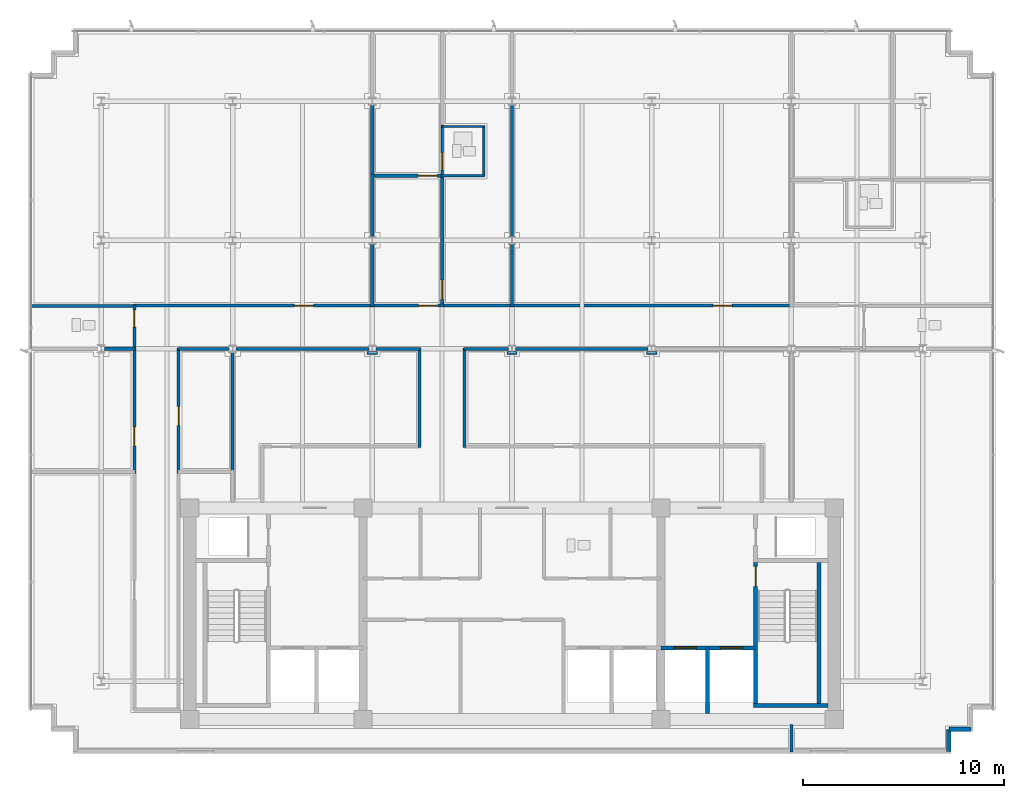
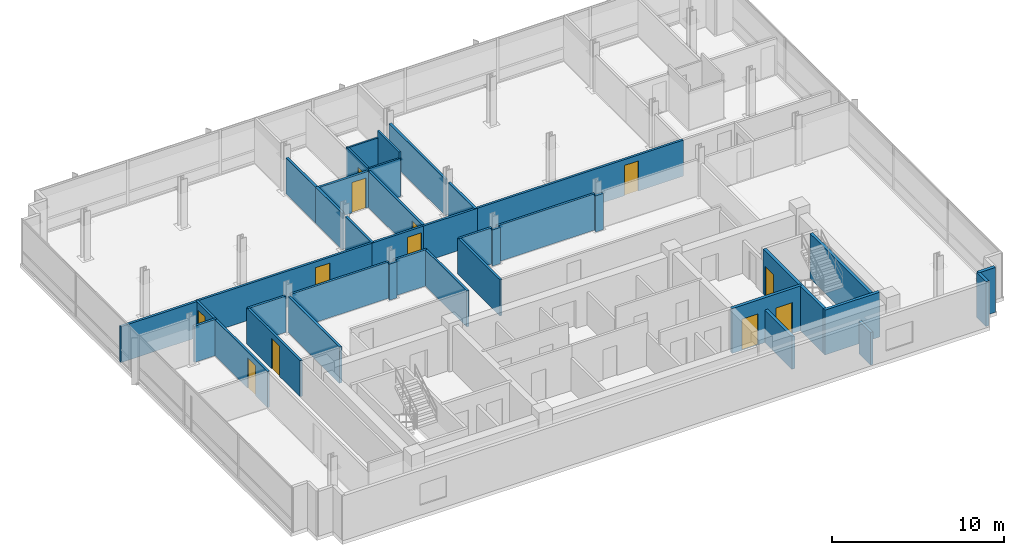
# One storey, part 11 of 18: 39 walls, 12 doors, 12 openings.
"""IFC4 building model written with IfcOpenShell, lengths in metres."""

import ifcopenshell
import ifcopenshell.guid

model = None  # the IFC model being written
_history = None  # IfcOwnerHistory: only IFC2X3 demands one
_inside = {}  # id of a spatial element -> (the spatial element, [elements in it])
_under = {}  # id of a project, library or spatial element -> (it, [spatial elements below it])
_declared = {}  # id of a project -> (the project, [libraries it declares])
_typed = {}  # id of a type object -> (the type object, [elements of that type])
_made_of = {}  # id of a material, layer set ... -> (it, [elements and type objects made of it])


def new_model(schema):
    """Start an empty IFC model of exactly this schema.

    Asked for "IFC4X3", IfcOpenShell would pick the latest addendum, in which some entities
    have other attributes; the version numbers below select the first issue.
    IFC2X3 requires an IfcOwnerHistory on every rooted entity: one is made here for all.
    """
    global model, _history
    if schema == "IFC4X3":
        model = ifcopenshell.file(schema_version=(4, 3, 0, 0))
    else:
        model = ifcopenshell.file(schema=schema)
    _inside.clear()
    _under.clear()
    _declared.clear()
    _typed.clear()
    _made_of.clear()
    _history = None
    if model.schema == "IFC2X3":
        org = make("IfcOrganization", Name="unknown")
        user = make(
            "IfcPersonAndOrganization",
            ThePerson=make("IfcPerson", FamilyName="unknown"),
            TheOrganization=org,
        )
        app = make(
            "IfcApplication",
            ApplicationDeveloper=org,
            Version="unknown",
            ApplicationFullName="unknown",
            ApplicationIdentifier="unknown",
        )
        _history = make(
            "IfcOwnerHistory",
            OwningUser=user,
            OwningApplication=app,
            ChangeAction="ADDED",
            CreationDate=0,
        )
    return model


def make(cls, **values):
    """One entity of the class cls with the attributes given. An attribute that is None is left unset."""
    return model.create_entity(
        cls, **{name: value for name, value in values.items() if value is not None}
    )


def rooted(cls, **values):
    """An entity with a GlobalId (a new one), such as an element, a storey or a relation."""
    return make(cls, GlobalId=ifcopenshell.guid.new(), OwnerHistory=_history, **values)


def si_unit(unit_type, name, prefix=None):
    """IfcSIUnit, for example si_unit("LENGTHUNIT", "METRE", prefix="MILLI")."""
    return make("IfcSIUnit", UnitType=unit_type, Prefix=prefix, Name=name)


def assignment(units):
    """IfcUnitAssignment: the units of a project."""
    return None if units is None else make("IfcUnitAssignment", Units=units)


def point(xyz):
    """IfcCartesianPoint."""
    return None if xyz is None else make("IfcCartesianPoint", Coordinates=xyz)


def direction(xyz):
    """IfcDirection."""
    return None if xyz is None else make("IfcDirection", DirectionRatios=xyz)


def frame(location, z_axis=None, x_axis=None):
    """IfcAxis2Placement3D, a coordinate frame: its origin and axes. An axis left out is left unset."""
    return make(
        "IfcAxis2Placement3D",
        Location=point(location),
        Axis=direction(z_axis),
        RefDirection=direction(x_axis),
    )


def frame_2d(location, x_axis=None):
    """IfcAxis2Placement2D, a coordinate frame in the plane: its origin and x axis."""
    return make(
        "IfcAxis2Placement2D", Location=point(location), RefDirection=direction(x_axis)
    )


def origin():
    """The frame at (0, 0, 0) with its axes left unset."""
    return frame((0.0, 0.0, 0.0))


def place(relative_to, where):
    """IfcLocalPlacement: puts the frame where relative to a parent placement (None: the world)."""
    return make(
        "IfcLocalPlacement", PlacementRelTo=relative_to, RelativePlacement=where
    )


def context(
    kind, dimensions, precision=None, world=None, true_north=None, identifier=None
):
    """IfcGeometricRepresentationContext, for example the 3D "Model" context."""
    return make(
        "IfcGeometricRepresentationContext",
        ContextIdentifier=identifier,
        ContextType=kind,
        CoordinateSpaceDimension=dimensions,
        Precision=precision,
        WorldCoordinateSystem=world,
        TrueNorth=true_north,
    )


def subcontext(parent, identifier, kind, view, scale=None):
    """IfcGeometricRepresentationSubContext, for example "Body" below "Model"."""
    return make(
        "IfcGeometricRepresentationSubContext",
        ContextIdentifier=identifier,
        ContextType=kind,
        ParentContext=parent,
        TargetScale=scale,
        TargetView=view,
    )


def project(units=None, contexts=None):
    """IfcProject with its units and contexts."""
    return rooted(
        "IfcProject",
        Name="project",
        RepresentationContexts=contexts,
        UnitsInContext=assignment(units),
    )


def spatial(cls, under=None, at=None, **own):
    """A site, building, storey or space (cls), placed at a placement, below another one or the project."""
    s = rooted(cls, ObjectPlacement=at, **own)
    if under is not None:
        _under.setdefault(under.id(), (under, []))[1].append(s)
    return s


def profile(cls, at=None, kind="AREA", **sizes):
    """A parametric profile (cls). Its sizes go by their IFC names, for example OverallWidth=200.0."""
    return make(cls, ProfileType=kind, Position=at, **sizes)


def rectangle(**sizes):
    """IfcRectangleProfileDef."""
    return profile("IfcRectangleProfileDef", **sizes)


def extrude(swept, where, along, depth):
    """IfcExtrudedAreaSolid: the profile swept, set in the frame where, extruded along a direction by depth."""
    return make(
        "IfcExtrudedAreaSolid",
        SweptArea=swept,
        Position=where,
        ExtrudedDirection=direction(along),
        Depth=depth,
    )


def shape(context_of_items, identifier, shape_type, items):
    """IfcShapeRepresentation: the items that make up one representation, for example the "Body"."""
    return make(
        "IfcShapeRepresentation",
        ContextOfItems=context_of_items,
        RepresentationIdentifier=identifier,
        RepresentationType=shape_type,
        Items=items,
    )


def material(Name=None, Category=None):
    """IfcMaterial."""
    return make("IfcMaterial", Name=Name, Category=Category)


def layer(
    of_material, thickness, ventilated=None, Name=None, Category=None, Priority=None
):
    """IfcMaterialLayer: one layer of a wall or slab, of a material (None: an air gap)."""
    return make(
        "IfcMaterialLayer",
        Material=of_material,
        LayerThickness=thickness,
        IsVentilated=ventilated,
        Name=Name,
        Category=Category,
        Priority=Priority,
    )


def layer_set(layers, Name=None):
    """IfcMaterialLayerSet."""
    return make("IfcMaterialLayerSet", MaterialLayers=layers, LayerSetName=Name)


def made_of(thing, what):
    """Note that an element or type object is made of a material, layer set ...; save() writes the relation."""
    if what is not None:
        _made_of.setdefault(what.id(), (what, []))[1].append(thing)
    return thing


def type_object(cls, material=None, **own):
    """A type object (cls), such as IfcWallType, which elements share."""
    return made_of(rooted(cls, **own), material)


def element(
    cls,
    number,
    at=None,
    inside=None,
    cuts=None,
    type_object=None,
    material=None,
    context=None,
    identifier="Body",
    shape_type=None,
    held_by="IfcProductDefinitionShape",
    body=None,
    shapes=None,
    **own,
):
    """One element of the class cls, such as IfcWall. Its Tag is "e" and its number.

    at: its placement. inside: the storey or other place that contains it. cuts: it is an
    opening in that element (IfcRelVoidsElement). A single representation is given by context,
    identifier, shape_type and body (its items); several are given by shapes. held_by: the class
    of the entity that holds the representations. save() writes the other relations.
    """
    e = rooted(cls, Tag="e%d" % number, ObjectPlacement=at, **own)
    if body is not None:
        shapes = [shape(context, identifier, shape_type, body)]
    if shapes is not None:
        e.Representation = make(held_by, Representations=shapes)
    if inside is not None:
        _inside.setdefault(inside.id(), (inside, []))[1].append(e)
    if cuts is not None:
        rooted(
            "IfcRelVoidsElement", RelatingBuildingElement=cuts, RelatedOpeningElement=e
        )
    if type_object is not None:
        _typed.setdefault(type_object.id(), (type_object, []))[1].append(e)
    return made_of(e, material)


def fill(opening, filler):
    """IfcRelFillsElement: the door or window that sits in an opening."""
    return rooted(
        "IfcRelFillsElement",
        RelatingOpeningElement=opening,
        RelatedBuildingElement=filler,
    )


def aggregate(whole, parts):
    """IfcRelAggregates: a whole, such as a stair, and the parts it consists of."""
    return rooted("IfcRelAggregates", RelatingObject=whole, RelatedObjects=parts)


def save(model, path):
    """Write the relations noted so far, then the file.

    IfcRelAggregates (storeys below a building ...), IfcRelContainedInSpatialStructure (elements
    in a storey), IfcRelDefinesByType, IfcRelAssociatesMaterial and IfcRelDeclares: one each for
    every whole, place, type object, material and project.
    """
    for whole, parts in _under.values():
        aggregate(whole, parts)
    for where, things in _inside.values():
        rooted(
            "IfcRelContainedInSpatialStructure",
            RelatedElements=things,
            RelatingStructure=where,
        )
    for kind, things in _typed.values():
        rooted("IfcRelDefinesByType", RelatedObjects=things, RelatingType=kind)
    for what, things in _made_of.values():
        rooted("IfcRelAssociatesMaterial", RelatedObjects=things, RelatingMaterial=what)
    for by, libraries in _declared.values():
        rooted("IfcRelDeclares", RelatingContext=by, RelatedDefinitions=libraries)
    model.write(path)


model = new_model("IFC4")

# Units and contexts
model_context = context("Model", 3, precision=1e-05, world=origin(), true_north=direction((0.0, 1.0)))
body_context = subcontext(model_context, "Body", "Model", "MODEL_VIEW")
ifc_project = project(units=[si_unit("LENGTHUNIT", "METRE"), si_unit("AREAUNIT", "SQUARE_METRE"), si_unit("VOLUMEUNIT", "CUBIC_METRE"), si_unit("PLANEANGLEUNIT", "RADIAN"), si_unit("MASSUNIT", "GRAM", prefix="KILO")], contexts=[model_context])

# Site, building, storey
site_placement = place(None, origin())
site = spatial("IfcSite", under=ifc_project, at=site_placement, CompositionType="ELEMENT")
building_placement = place(site_placement, origin())
building = spatial("IfcBuilding", under=site, at=building_placement, Name="Solmavex Isthmus Hotel", CompositionType="ELEMENT")
storey_placement = place(building_placement, frame((0.0, 0.0, 283.35009765625)))
storey = spatial("IfcBuildingStorey", under=building, at=storey_placement, Name="L77", CompositionType="ELEMENT", Elevation=283.35009765625)

# Walls
ifc_material_1 = material(Name="Precast Concrete C40/50", Category="concrete")
ifc_layer_1 = layer(ifc_material_1, 0.25)
ifc_layer_set_1 = layer_set([ifc_layer_1], Name="Precast Concrete C40/50")
wall_type_1 = type_object("IfcWallType", Name="EW-TWR-250", PredefinedType="STANDARD", material=ifc_layer_set_1)
for number, where, z_axis, x_axis, name in (
    (1, (22.7900390625, -13.489990234375, 0.0), (0.0, 0.0, 1.0), (-1.0, 0.0, 0.0), "Serrated Corner Facade Panel L77-18"),
    (2, (21.68994140625, -13.489990234375, 0.0), (0.0, 0.0, 1.0), (0.0, -1.0, 0.0), "Serrated Corner Facade Panel L77-19"),
):
    element("IfcWall", number, at=place(storey_placement, frame(where, z_axis=z_axis, x_axis=x_axis)), inside=storey, type_object=wall_type_1, Name=name, PredefinedType="STANDARD", context=body_context, shape_type="SweptSolid", body=[
        extrude(rectangle(XDim=1.10009765625, YDim=0.219970703125, at=frame_2d((0.550048828125, 0.0))), origin(), (0.0, 0.0, 1.0), 3.18994140625),
    ])
ifc_material_2 = material(Name="Gypsum plasterboard lining", Category="gypsum")
ifc_layer_2 = layer(ifc_material_2, 0.159912109375)
ifc_layer_set_2 = layer_set([ifc_layer_2], Name="Gypsum plasterboard lining")
wall_type_2 = type_object("IfcWallType", Name="IW-COMP-160", PredefinedType="PARTITIONING", material=ifc_layer_set_2)
wall_1_placement = place(storey_placement, frame((-6.93603515625, 10.613037109375, 0.0), z_axis=(0.0, 0.0, 1.0), x_axis=(0.0, -1.0, 0.0)))
element("IfcWall", 3, at=wall_1_placement, inside=storey, type_object=wall_type_2, Name="Interior Partition Wall W-L77-P029", PredefinedType="PARTITIONING", context=body_context, shape_type="SweptSolid", body=[
    extrude(rectangle(XDim=3.10302734375, YDim=0.159912109375, at=frame_2d((1.551513671875, 0.0))), origin(), (0.0, 0.0, 1.0), 2.572265625),
])
wall_2_placement = place(storey_placement, frame((-6.93603515625, 14.070068359375, 0.0), z_axis=(0.0, 0.0, 1.0), x_axis=(0.0, -1.0, 0.0)))
element("IfcWall", 4, at=wall_2_placement, inside=storey, type_object=wall_type_2, Name="Interior Partition Wall W-L77-P030", PredefinedType="PARTITIONING", context=body_context, shape_type="SweptSolid", body=[
    extrude(rectangle(XDim=3.107177734375, YDim=0.159912109375, at=frame_2d((1.5537109375, 0.0))), origin(), (0.0, 0.0, 1.0), 2.572265625),
])
wall_3_placement = place(storey_placement, frame((-6.93603515625, 17.52490234375, 0.0), z_axis=(0.0, 0.0, 1.0), x_axis=(0.0, -1.0, 0.0)))
element("IfcWall", 5, at=wall_3_placement, inside=storey, type_object=wall_type_2, Name="Interior Partition Wall W-L77-P031", PredefinedType="PARTITIONING", context=body_context, shape_type="SweptSolid", body=[
    extrude(rectangle(XDim=3.618896484375, YDim=0.159912109375, at=frame_2d((1.8095703125, 0.0))), origin(), (0.0, 0.0, 1.0), 2.572265625),
])
wall_4_placement = place(storey_placement, frame((-18.7099609375, 7.530029296875, 0.0), z_axis=(0.0, 0.0, 1.0), x_axis=(-1.0, 0.0, 0.0)))
element("IfcWall", 6, at=wall_4_placement, inside=storey, type_object=wall_type_2, Name="Interior Partition Wall W-L77-P033", PredefinedType="PARTITIONING", context=body_context, shape_type="SweptSolid", body=[
    extrude(rectangle(XDim=5.2099609375, YDim=0.159912109375, at=frame_2d((2.60498046875, 0.0))), origin(), (0.0, 0.0, 1.0), 2.557373046875),
])

# Wall, opening, door
wall_5_placement = place(storey_placement, frame((-6.97607421875, 13.988037109375, 0.0), z_axis=(0.0, 0.0, 1.0), x_axis=(1.0, 0.0, 0.0)))
wall_5 = element("IfcWall", 7, at=wall_5_placement, inside=storey, type_object=wall_type_2, Name="Interior Partition Wall W-L77-P034", PredefinedType="PARTITIONING", context=body_context, shape_type="SweptSolid", body=[
    extrude(rectangle(XDim=3.548095703125, YDim=0.159912109375, at=frame_2d((1.77392578125, 0.0))), origin(), (0.0, 0.0, 1.0), 2.572265625),
])
opening_1_placement = place(wall_5_placement, frame((2.318603515625, 0.0, 0.0)))
opening_1 = element("IfcOpeningElement", 8, at=opening_1_placement, cuts=wall_5, Name="Opening ID-C095", PredefinedType="OPENING", context=body_context, shape_type="SweptSolid", body=[
    extrude(rectangle(XDim=0.949951171875, YDim=2.14990234375, at=frame_2d((0.47509765625, 1.074951171875))), frame((0.0, 0.08984375, 0.0), z_axis=(0.0, -1.0, 0.0), x_axis=(1.0, 0.0, 0.0)), (0.0, 0.0, 1.0), 0.179931640625),
])
ifc_material_3 = material(Name="Hardwood timber", Category="wood")
door_type_1 = type_object("IfcDoorType", Name="IDR-FD60-0950", OperationType="NOTDEFINED", PredefinedType="DOOR", material=ifc_material_3)
door_1_placement = place(opening_1_placement, origin())
door_1 = element("IfcDoor", 9, at=door_1_placement, inside=storey, type_object=door_type_1, Name="Sommelier Tasting Suite Master Bedroom Door L77-03", OperationType="SINGLE_SWING_LEFT", OverallHeight=2.14990234375, OverallWidth=0.949951171875, PredefinedType="DOOR", context=body_context, shape_type="SweptSolid", body=[
    extrude(rectangle(XDim=0.949951171875, YDim=2.14990234375, at=frame_2d((0.47509765625, 1.074951171875))), frame((0.0, 0.02490234375, 0.0), z_axis=(0.0, -1.0, 0.0), x_axis=(1.0, 0.0, 0.0)), (0.0, 0.0, 1.0), 0.050048828125),
])
fill(opening_1, door_1)

wall_6_placement = place(storey_placement, frame((-3.468017578125, 14.028076171875, 0.0), z_axis=(0.0, 0.0, 1.0), x_axis=(0.0, -1.0, 0.0)))
wall_6 = element("IfcWall", 10, at=wall_6_placement, inside=storey, type_object=wall_type_2, Name="Interior Partition Wall W-L77-P035", PredefinedType="PARTITIONING", context=body_context, shape_type="SweptSolid", body=[
    extrude(rectangle(XDim=6.51806640625, YDim=0.159912109375, at=frame_2d((3.259033203125, 0.0))), origin(), (0.0, 0.0, 1.0), 2.572265625),
])
opening_2_placement = place(wall_6_placement, frame((5.217529296875, 0.0, 0.0)))
opening_2 = element("IfcOpeningElement", 11, at=opening_2_placement, cuts=wall_6, Name="Opening ID-C095", PredefinedType="OPENING", context=body_context, shape_type="SweptSolid", body=[
    extrude(rectangle(XDim=0.949951171875, YDim=2.14990234375, at=frame_2d((0.47509765625, 1.074951171875))), frame((0.0, 0.08984375, 0.0), z_axis=(0.0, -1.0, 0.0), x_axis=(1.0, 0.0, 0.0)), (0.0, 0.0, 1.0), 0.179931640625),
])
door_2_placement = place(opening_2_placement, origin())
door_2 = element("IfcDoor", 12, at=door_2_placement, inside=storey, type_object=door_type_1, Name="Sommelier Tasting Suite Living Lounge Door L77-04", OperationType="SINGLE_SWING_RIGHT", OverallHeight=2.14990234375, OverallWidth=0.949951171875, PredefinedType="DOOR", context=body_context, shape_type="SweptSolid", body=[
    extrude(rectangle(XDim=0.949951171875, YDim=2.14990234375, at=frame_2d((0.47509765625, 1.074951171875))), frame((0.0, 0.02490234375, 0.0), z_axis=(0.0, -1.0, 0.0), x_axis=(1.0, 0.0, 0.0)), (0.0, 0.0, 1.0), 0.050048828125),
])
fill(opening_2, door_2)

# Walls
wall_7_placement = place(storey_placement, frame((0.0, 10.613037109375, 0.0), z_axis=(0.0, 0.0, 1.0), x_axis=(0.0, -1.0, 0.0)))
element("IfcWall", 13, at=wall_7_placement, inside=storey, type_object=wall_type_2, Name="Interior Partition Wall W-L77-P041", PredefinedType="PARTITIONING", context=body_context, shape_type="SweptSolid", body=[
    extrude(rectangle(XDim=3.10302734375, YDim=0.159912109375, at=frame_2d((1.551513671875, 0.0))), origin(), (0.0, 0.0, 1.0), 2.572265625),
])
wall_8_placement = place(storey_placement, frame((0.0, 17.52490234375, 0.0), z_axis=(0.0, 0.0, 1.0), x_axis=(0.0, -1.0, 0.0)))
element("IfcWall", 14, at=wall_8_placement, inside=storey, type_object=wall_type_2, Name="Interior Partition Wall W-L77-P042", PredefinedType="PARTITIONING", context=body_context, shape_type="SweptSolid", body=[
    extrude(rectangle(XDim=6.56201171875, YDim=0.159912109375, at=frame_2d((3.281005859375, 0.0))), origin(), (0.0, 0.0, 1.0), 2.572265625),
])
wall_9_placement = place(storey_placement, frame((-18.7099609375, 5.39990234375, 0.0), z_axis=(0.0, 0.0, 1.0), x_axis=(-1.0, 0.0, 0.0)))
element("IfcWall", 15, at=wall_9_placement, inside=storey, type_object=wall_type_2, Name="Interior Partition Wall W-L77-P057", PredefinedType="PARTITIONING", context=body_context, shape_type="SweptSolid", body=[
    extrude(rectangle(XDim=1.51513671875, YDim=0.159912109375, at=frame_2d((0.757568359375, 0.0))), origin(), (0.0, 0.0, 1.0), 2.572265625),
])
wall_10_placement = place(storey_placement, frame((-13.8720703125, 5.22509765625, 0.0), z_axis=(0.0, 0.0, 1.0), x_axis=(0.0, -1.0, 0.0)))
element("IfcWall", 16, at=wall_10_placement, inside=storey, type_object=wall_type_2, Name="Interior Partition Wall W-L77-P060", PredefinedType="PARTITIONING", context=body_context, shape_type="SweptSolid", body=[
    extrude(rectangle(XDim=5.965087890625, YDim=0.159912109375, at=frame_2d((2.982421875, 0.0))), origin(), (0.0, 0.0, 1.0), 2.572265625),
])
wall_11_placement = place(storey_placement, frame((13.8720703125, -13.260009765625, 0.0), z_axis=(0.0, 0.0, 1.0), x_axis=(0.0, -1.0, 0.0)))
element("IfcWall", 17, at=wall_11_placement, inside=storey, type_object=wall_type_2, Name="Interior Partition Wall W-L77-P065", PredefinedType="PARTITIONING", context=body_context, shape_type="SweptSolid", body=[
    extrude(rectangle(XDim=1.360107421875, YDim=0.159912109375, at=frame_2d((0.68017578125, 0.0))), origin(), (0.0, 0.0, 1.0), 2.324951171875),
])

# Wall, opening, door
ifc_layer_3 = layer(ifc_material_2, 0.14990234375)
ifc_layer_set_3 = layer_set([ifc_layer_3], Name="Gypsum plasterboard lining")
wall_type_3 = type_object("IfcWallType", Name="IW-CORR-150", PredefinedType="PARTITIONING", material=ifc_layer_set_3)
wall_12_placement = place(storey_placement, frame((-18.7900390625, 7.550048828125, 0.0), z_axis=(0.0, 0.0, 1.0), x_axis=(1.0, 0.0, 0.0)))
wall_12 = element("IfcWall", 18, at=wall_12_placement, inside=storey, type_object=wall_type_3, Name="Interior Partition Wall W-L77-P001", PredefinedType="PARTITIONING", context=body_context, shape_type="SweptSolid", body=[
    extrude(rectangle(XDim=11.93603515625, YDim=0.14990234375, at=frame_2d((5.968017578125, 0.0))), origin(), (0.0, 0.0, 1.0), 2.572265625),
])
opening_3_placement = place(wall_12_placement, frame((7.98291015625, 0.0, 0.0)))
opening_3 = element("IfcOpeningElement", 19, at=opening_3_placement, cuts=wall_12, Name="Opening ID-C095", PredefinedType="OPENING", context=body_context, shape_type="SweptSolid", body=[
    extrude(rectangle(XDim=0.949951171875, YDim=2.14990234375, at=frame_2d((0.47509765625, 1.074951171875))), frame((0.0, 0.0849609375, 0.0), z_axis=(0.0, -1.0, 0.0), x_axis=(1.0, 0.0, 0.0)), (0.0, 0.0, 1.0), 0.169921875),
])
door_3_placement = place(opening_3_placement, origin())
door_3 = element("IfcDoor", 20, at=door_3_placement, inside=storey, type_object=door_type_1, Name="Corporate Briefing Office Door L77-01", OperationType="SINGLE_SWING_LEFT", OverallHeight=2.14990234375, OverallWidth=0.949951171875, PredefinedType="DOOR", context=body_context, shape_type="SweptSolid", body=[
    extrude(rectangle(XDim=0.949951171875, YDim=2.14990234375, at=frame_2d((0.47509765625, 1.074951171875))), frame((0.0, 0.02490234375, 0.0), z_axis=(0.0, -1.0, 0.0), x_axis=(1.0, 0.0, 0.0)), (0.0, 0.0, 1.0), 0.050048828125),
])
fill(opening_3, door_3)

wall_13_placement = place(storey_placement, frame((-7.01806640625, 7.550048828125, 0.0), z_axis=(0.0, 0.0, 1.0), x_axis=(1.0, 0.0, 0.0)))
wall_13 = element("IfcWall", 21, at=wall_13_placement, inside=storey, type_object=wall_type_3, Name="Interior Partition Wall W-L77-P002", PredefinedType="PARTITIONING", context=body_context, shape_type="SweptSolid", body=[
    extrude(rectangle(XDim=3.632080078125, YDim=0.14990234375, at=frame_2d((1.81591796875, 0.0))), origin(), (0.0, 0.0, 1.0), 2.572265625),
])
opening_4_placement = place(wall_13_placement, frame((2.38525390625, 0.0, 0.0)))
opening_4 = element("IfcOpeningElement", 22, at=opening_4_placement, cuts=wall_13, Name="Opening ID-C095", PredefinedType="OPENING", context=body_context, shape_type="SweptSolid", body=[
    extrude(rectangle(XDim=0.949951171875, YDim=2.14990234375, at=frame_2d((0.47509765625, 1.074951171875))), frame((0.0, 0.0849609375, 0.0), z_axis=(0.0, -1.0, 0.0), x_axis=(1.0, 0.0, 0.0)), (0.0, 0.0, 1.0), 0.169921875),
])
door_4_placement = place(opening_4_placement, origin())
door_4 = element("IfcDoor", 23, at=door_4_placement, inside=storey, type_object=door_type_1, Name="Sommelier Tasting Suite Entrance Hall Door L77-02", OperationType="SINGLE_SWING_RIGHT", OverallHeight=2.14990234375, OverallWidth=0.949951171875, PredefinedType="DOOR", context=body_context, shape_type="SweptSolid", body=[
    extrude(rectangle(XDim=0.949951171875, YDim=2.14990234375, at=frame_2d((0.47509765625, 1.074951171875))), frame((0.0, 0.02490234375, 0.0), z_axis=(0.0, -1.0, 0.0), x_axis=(1.0, 0.0, 0.0)), (0.0, 0.0, 1.0), 0.050048828125),
])
fill(opening_4, door_4)

# Wall
wall_14_placement = place(storey_placement, frame((-3.550048828125, 7.550048828125, 0.0), z_axis=(0.0, 0.0, 1.0), x_axis=(1.0, 0.0, 0.0)))
element("IfcWall", 24, at=wall_14_placement, inside=storey, type_object=wall_type_3, Name="Interior Partition Wall W-L77-P003", PredefinedType="PARTITIONING", context=body_context, shape_type="SweptSolid", body=[
    extrude(rectangle(XDim=3.632080078125, YDim=0.14990234375, at=frame_2d((1.81591796875, 0.0))), origin(), (0.0, 0.0, 1.0), 2.572265625),
])

# Wall, opening, door
wall_15_placement = place(storey_placement, frame((-0.08203125, 7.550048828125, 0.0), z_axis=(0.0, 0.0, 1.0), x_axis=(1.0, 0.0, 0.0)))
wall_15 = element("IfcWall", 25, at=wall_15_placement, inside=storey, type_object=wall_type_3, Name="Interior Partition Wall W-L77-P004", PredefinedType="PARTITIONING", context=body_context, shape_type="SweptSolid", body=[
    extrude(rectangle(XDim=14.0361328125, YDim=0.14990234375, at=frame_2d((7.01806640625, 0.0))), origin(), (0.0, 0.0, 1.0), 2.572265625),
])
opening_5_placement = place(wall_15_placement, frame((10.059814453125, 0.0, 0.0)))
opening_5 = element("IfcOpeningElement", 26, at=opening_5_placement, cuts=wall_15, Name="Opening ID-C095", PredefinedType="OPENING", context=body_context, shape_type="SweptSolid", body=[
    extrude(rectangle(XDim=0.949951171875, YDim=2.14990234375, at=frame_2d((0.47509765625, 1.074951171875))), frame((0.0, 0.0849609375, 0.0), z_axis=(0.0, -1.0, 0.0), x_axis=(1.0, 0.0, 0.0)), (0.0, 0.0, 1.0), 0.169921875),
])
door_5_placement = place(opening_5_placement, origin())
door_5 = element("IfcDoor", 27, at=door_5_placement, inside=storey, type_object=door_type_1, Name="Corporate Briefing Office Door L77-06", OperationType="SINGLE_SWING_RIGHT", OverallHeight=2.14990234375, OverallWidth=0.949951171875, PredefinedType="DOOR", context=body_context, shape_type="SweptSolid", body=[
    extrude(rectangle(XDim=0.949951171875, YDim=2.14990234375, at=frame_2d((0.47509765625, 1.074951171875))), frame((0.0, 0.02490234375, 0.0), z_axis=(0.0, -1.0, 0.0), x_axis=(1.0, 0.0, 0.0)), (0.0, 0.0, 1.0), 0.050048828125),
])
fill(opening_5, door_5)

wall_16_placement = place(storey_placement, frame((-18.75, 5.318115234375, 0.0), z_axis=(0.0, 0.0, 1.0), x_axis=(0.0, 1.0, 0.0)))
wall_16 = element("IfcWall", 28, at=wall_16_placement, inside=storey, type_object=wall_type_3, Name="Interior Partition Wall W-L77-P006", PredefinedType="PARTITIONING", context=body_context, shape_type="SweptSolid", body=[
    extrude(rectangle(XDim=2.251953125, YDim=0.14990234375, at=frame_2d((1.1259765625, 0.0))), origin(), (0.0, 0.0, 1.0), 2.572265625),
])
opening_6_placement = place(wall_16_placement, frame((1.156982421875, 0.0, 0.0)))
opening_6 = element("IfcOpeningElement", 29, at=opening_6_placement, cuts=wall_16, Name="Opening ID-R085", PredefinedType="OPENING", context=body_context, shape_type="SweptSolid", body=[
    extrude(rectangle(XDim=0.85009765625, YDim=2.050048828125, at=frame_2d((0.425048828125, 1.02490234375))), frame((0.0, 0.0849609375, 0.0), z_axis=(0.0, -1.0, 0.0), x_axis=(1.0, 0.0, 0.0)), (0.0, 0.0, 1.0), 0.169921875),
])
ifc_material_4 = material(Name="Steel ASTM A500 Grade C", Category="steel")
door_type_2 = type_object("IfcDoorType", Name="IDR-FD60-0850", OperationType="NOTDEFINED", PredefinedType="DOOR", material=ifc_material_4)
door_6_placement = place(opening_6_placement, frame((0.85009765625, 0.0, 0.0), z_axis=(0.0, 0.0, 1.0), x_axis=(-1.0, 0.0, 0.0)))
door_6 = element("IfcDoor", 30, at=door_6_placement, inside=storey, type_object=door_type_2, Name="Accessible Public Restroom WC Door L77-11", OperationType="SINGLE_SWING_LEFT", OverallHeight=2.050048828125, OverallWidth=0.85009765625, PredefinedType="DOOR", context=body_context, shape_type="SweptSolid", body=[
    extrude(rectangle(XDim=0.85009765625, YDim=2.050048828125, at=frame_2d((0.425048828125, 1.02490234375))), frame((0.0, 0.02490234375, 0.0), z_axis=(0.0, -1.0, 0.0), x_axis=(1.0, 0.0, 0.0)), (0.0, 0.0, 1.0), 0.050048828125),
])
fill(opening_6, door_6)

# Wall
wall_17_placement = place(storey_placement, frame((-14.047119140625, 5.39990234375, 0.0), z_axis=(0.0, 0.0, 1.0), x_axis=(-1.0, 0.0, 0.0)))
element("IfcWall", 31, at=wall_17_placement, inside=storey, type_object=wall_type_3, Name="Interior Partition Wall W-L77-P008", PredefinedType="PARTITIONING", context=body_context, shape_type="SweptSolid", body=[
    extrude(rectangle(XDim=2.54296875, YDim=0.14990234375, at=frame_2d((1.271484375, 0.0))), origin(), (0.0, 0.0, 1.0), 2.572265625),
])

# Wall, opening, door
wall_18_placement = place(storey_placement, frame((-16.550048828125, 5.43994140625, 0.0), z_axis=(0.0, 0.0, 1.0), x_axis=(0.0, -1.0, 0.0)))
wall_18 = element("IfcWall", 32, at=wall_18_placement, inside=storey, type_object=wall_type_3, Name="Interior Partition Wall W-L77-P009", PredefinedType="PARTITIONING", context=body_context, shape_type="SweptSolid", body=[
    extrude(rectangle(XDim=6.221923828125, YDim=0.14990234375, at=frame_2d((3.11083984375, 0.0))), origin(), (0.0, 0.0, 1.0), 2.572265625),
])
opening_7_placement = place(wall_18_placement, frame((2.89404296875, 0.0, 0.0)))
opening_7 = element("IfcOpeningElement", 33, at=opening_7_placement, cuts=wall_18, Name="Opening ID-C095", PredefinedType="OPENING", context=body_context, shape_type="SweptSolid", body=[
    extrude(rectangle(XDim=0.949951171875, YDim=2.14990234375, at=frame_2d((0.47509765625, 1.074951171875))), frame((0.0, 0.0849609375, 0.0), z_axis=(0.0, -1.0, 0.0), x_axis=(1.0, 0.0, 0.0)), (0.0, 0.0, 1.0), 0.169921875),
])
door_7_placement = place(opening_7_placement, frame((0.949951171875, 0.0, 0.0), z_axis=(0.0, 0.0, 1.0), x_axis=(-1.0, 0.0, 0.0)))
door_7 = element("IfcDoor", 34, at=door_7_placement, inside=storey, type_object=door_type_1, Name="Sky Sommelier Bar Door L77-13", OperationType="SINGLE_SWING_LEFT", OverallHeight=2.14990234375, OverallWidth=0.949951171875, PredefinedType="DOOR", context=body_context, shape_type="SweptSolid", body=[
    extrude(rectangle(XDim=0.949951171875, YDim=2.14990234375, at=frame_2d((0.47509765625, 1.074951171875))), frame((0.0, 0.02490234375, 0.0), z_axis=(0.0, -1.0, 0.0), x_axis=(1.0, 0.0, 0.0)), (0.0, 0.0, 1.0), 0.050048828125),
])
fill(opening_7, door_7)

wall_19_placement = place(storey_placement, frame((-18.75, -0.781982421875, 0.0), z_axis=(0.0, 0.0, 1.0), x_axis=(0.0, 1.0, 0.0)))
wall_19 = element("IfcWall", 35, at=wall_19_placement, inside=storey, type_object=wall_type_3, Name="Interior Partition Wall W-L77-P010", PredefinedType="PARTITIONING", context=body_context, shape_type="SweptSolid", body=[
    extrude(rectangle(XDim=6.263916015625, YDim=0.14990234375, at=frame_2d((3.1318359375, 0.0))), origin(), (0.0, 0.0, 1.0), 2.572265625),
])
opening_8_placement = place(wall_19_placement, frame((1.3583984375, 0.0, 0.0)))
opening_8 = element("IfcOpeningElement", 36, at=opening_8_placement, cuts=wall_19, Name="Opening ID-C095", PredefinedType="OPENING", context=body_context, shape_type="SweptSolid", body=[
    extrude(rectangle(XDim=0.949951171875, YDim=2.14990234375, at=frame_2d((0.47509765625, 1.074951171875))), frame((0.0, 0.0849609375, 0.0), z_axis=(0.0, -1.0, 0.0), x_axis=(1.0, 0.0, 0.0)), (0.0, 0.0, 1.0), 0.169921875),
])
door_8_placement = place(opening_8_placement, origin())
door_8 = element("IfcDoor", 37, at=door_8_placement, inside=storey, type_object=door_type_1, Name="Private Dining Boardroom Door L77-14", OperationType="SINGLE_SWING_RIGHT", OverallHeight=2.14990234375, OverallWidth=0.949951171875, PredefinedType="DOOR", context=body_context, shape_type="SweptSolid", body=[
    extrude(rectangle(XDim=0.949951171875, YDim=2.14990234375, at=frame_2d((0.47509765625, 1.074951171875))), frame((0.0, 0.02490234375, 0.0), z_axis=(0.0, -1.0, 0.0), x_axis=(1.0, 0.0, 0.0)), (0.0, 0.0, 1.0), 0.050048828125),
])
fill(opening_8, door_8)

# Walls
wall_20_placement = place(storey_placement, frame((-4.587890625, 0.510009765625, 0.0), z_axis=(0.0, 0.0, 1.0), x_axis=(0.0, 1.0, 0.0)))
element("IfcWall", 38, at=wall_20_placement, inside=storey, type_object=wall_type_3, Name="Interior Partition Wall W-L77-P013", PredefinedType="PARTITIONING", context=body_context, shape_type="SweptSolid", body=[
    extrude(rectangle(XDim=4.929931640625, YDim=0.14990234375, at=frame_2d((2.46484375, 0.0))), origin(), (0.0, 0.0, 1.0), 2.572265625),
])
wall_21_placement = place(storey_placement, frame((-4.548095703125, 5.39990234375, 0.0), z_axis=(0.0, 0.0, 1.0), x_axis=(-1.0, 0.0, 0.0)))
element("IfcWall", 39, at=wall_21_placement, inside=storey, type_object=wall_type_3, Name="Interior Partition Wall W-L77-P014", PredefinedType="PARTITIONING", context=body_context, shape_type="SweptSolid", body=[
    extrude(rectangle(XDim=2.212890625, YDim=0.14990234375, at=frame_2d((1.1064453125, 0.0))), origin(), (0.0, 0.0, 1.0), 2.572265625),
])
wall_22_placement = place(storey_placement, frame((-6.680908203125, 5.18505859375, 0.0), z_axis=(0.0, 0.0, 1.0), x_axis=(-1.0, 0.0, 0.0)))
element("IfcWall", 40, at=wall_22_placement, inside=storey, type_object=wall_type_3, Name="Interior Partition Wall W-L77-P015", PredefinedType="PARTITIONING", context=body_context, shape_type="SweptSolid", body=[
    extrude(rectangle(XDim=0.510009765625, YDim=0.14990234375, at=frame_2d((0.2548828125, 0.0))), origin(), (0.0, 0.0, 1.0), 2.572265625),
])
wall_23_placement = place(storey_placement, frame((-7.111083984375, 5.39990234375, 0.0), z_axis=(0.0, 0.0, 1.0), x_axis=(-1.0, 0.0, 0.0)))
element("IfcWall", 41, at=wall_23_placement, inside=storey, type_object=wall_type_3, Name="Interior Partition Wall W-L77-P016", PredefinedType="PARTITIONING", context=body_context, shape_type="SweptSolid", body=[
    extrude(rectangle(XDim=6.5859375, YDim=0.14990234375, at=frame_2d((3.29296875, 0.0))), origin(), (0.0, 0.0, 1.0), 2.572265625),
])
wall_24_placement = place(storey_placement, frame((7.19091796875, 5.18505859375, 0.0), z_axis=(0.0, 0.0, 1.0), x_axis=(-1.0, 0.0, 0.0)))
element("IfcWall", 42, at=wall_24_placement, inside=storey, type_object=wall_type_3, Name="Interior Partition Wall W-L77-P018", PredefinedType="PARTITIONING", context=body_context, shape_type="SweptSolid", body=[
    extrude(rectangle(XDim=0.510009765625, YDim=0.14990234375, at=frame_2d((0.2548828125, 0.0))), origin(), (0.0, 0.0, 1.0), 2.572265625),
])
wall_25_placement = place(storey_placement, frame((6.760986328125, 5.39990234375, 0.0), z_axis=(0.0, 0.0, 1.0), x_axis=(-1.0, 0.0, 0.0)))
element("IfcWall", 43, at=wall_25_placement, inside=storey, type_object=wall_type_3, Name="Interior Partition Wall W-L77-P019", PredefinedType="PARTITIONING", context=body_context, shape_type="SweptSolid", body=[
    extrude(rectangle(XDim=6.5859375, YDim=0.14990234375, at=frame_2d((3.29296875, 0.0))), origin(), (0.0, 0.0, 1.0), 2.572265625),
])
wall_26_placement = place(storey_placement, frame((0.2548828125, 5.18505859375, 0.0), z_axis=(0.0, 0.0, 1.0), x_axis=(-1.0, 0.0, 0.0)))
element("IfcWall", 44, at=wall_26_placement, inside=storey, type_object=wall_type_3, Name="Interior Partition Wall W-L77-P020", PredefinedType="PARTITIONING", context=body_context, shape_type="SweptSolid", body=[
    extrude(rectangle(XDim=0.509765625, YDim=0.14990234375, at=frame_2d((0.2548828125, 0.0))), origin(), (0.0, 0.0, 1.0), 2.572265625),
])
wall_27_placement = place(storey_placement, frame((-0.175048828125, 5.39990234375, 0.0), z_axis=(0.0, 0.0, 1.0), x_axis=(-1.0, 0.0, 0.0)))
element("IfcWall", 45, at=wall_27_placement, inside=storey, type_object=wall_type_3, Name="Interior Partition Wall W-L77-P021", PredefinedType="PARTITIONING", context=body_context, shape_type="SweptSolid", body=[
    extrude(rectangle(XDim=2.212890625, YDim=0.14990234375, at=frame_2d((1.1064453125, 0.0))), origin(), (0.0, 0.0, 1.0), 2.572265625),
])
wall_28_placement = place(storey_placement, frame((-2.347900390625, 5.43994140625, 0.0), z_axis=(0.0, 0.0, 1.0), x_axis=(0.0, -1.0, 0.0)))
element("IfcWall", 46, at=wall_28_placement, inside=storey, type_object=wall_type_3, Name="Interior Partition Wall W-L77-P022", PredefinedType="PARTITIONING", context=body_context, shape_type="SweptSolid", body=[
    extrude(rectangle(XDim=4.929931640625, YDim=0.14990234375, at=frame_2d((2.46484375, 0.0))), origin(), (0.0, 0.0, 1.0), 2.572265625),
])

# Wall, opening, door
ifc_layer_4 = layer(ifc_material_2, 0.1201171875)
ifc_layer_set_4 = layer_set([ifc_layer_4], Name="Gypsum plasterboard lining")
wall_type_4 = type_object("IfcWallType", Name="IW-PART-120", PredefinedType="PARTITIONING", material=ifc_layer_set_4)
wall_29_placement = place(storey_placement, frame((-3.468017578125, 16.52001953125, 0.0), z_axis=(0.0, 0.0, 1.0), x_axis=(0.0, -1.0, 0.0)))
wall_29 = element("IfcWall", 47, at=wall_29_placement, inside=storey, type_object=wall_type_4, Name="Interior Partition Wall W-L77-P037", PredefinedType="PARTITIONING", context=body_context, shape_type="SweptSolid", body=[
    extrude(rectangle(XDim=2.572021484375, YDim=0.1201171875, at=frame_2d((1.2861328125, 0.0))), origin(), (0.0, 0.0, 1.0), 2.718017578125),
])
opening_9_placement = place(wall_29_placement, frame((1.38427734375, 0.0, 0.0)))
opening_9 = element("IfcOpeningElement", 48, at=opening_9_placement, cuts=wall_29, Name="Opening ID-U085", PredefinedType="OPENING", context=body_context, shape_type="SweptSolid", body=[
    extrude(rectangle(XDim=0.85009765625, YDim=2.10009765625, at=frame_2d((0.425048828125, 1.050048828125))), frame((0.0, 0.070068359375, 0.0), z_axis=(0.0, -1.0, 0.0), x_axis=(1.0, 0.0, 0.0)), (0.0, 0.0, 1.0), 0.14013671875),
])
door_type_3 = type_object("IfcDoorType", Name="IDR-UNR-0850", OperationType="NOTDEFINED", PredefinedType="DOOR", material=ifc_material_3)
door_9_placement = place(opening_9_placement, origin())
door_9 = element("IfcDoor", 49, at=door_9_placement, inside=storey, type_object=door_type_3, Name="En-suite Bathroom Door L77-05", OperationType="SINGLE_SWING_LEFT", OverallHeight=2.10009765625, OverallWidth=0.85009765625, PredefinedType="DOOR", context=body_context, shape_type="SweptSolid", body=[
    extrude(rectangle(XDim=0.85009765625, YDim=2.10009765625, at=frame_2d((0.425048828125, 1.050048828125))), frame((0.0, 0.02490234375, 0.0), z_axis=(0.0, -1.0, 0.0), x_axis=(1.0, 0.0, 0.0)), (0.0, 0.0, 1.0), 0.050048828125),
])
fill(opening_9, door_9)

# Walls
wall_30_placement = place(storey_placement, frame((-3.508056640625, 13.988037109375, 0.0), z_axis=(0.0, 0.0, 1.0), x_axis=(1.0, 0.0, 0.0)))
element("IfcWall", 50, at=wall_30_placement, inside=storey, type_object=wall_type_4, Name="Interior Partition Wall W-L77-P038", PredefinedType="PARTITIONING", context=body_context, shape_type="SweptSolid", body=[
    extrude(rectangle(XDim=2.14794921875, YDim=0.1201171875, at=frame_2d((1.073974609375, 0.0))), origin(), (0.0, 0.0, 1.0), 2.718017578125),
])
wall_31_placement = place(storey_placement, frame((-1.39990234375, 13.947998046875, 0.0), z_axis=(0.0, 0.0, 1.0), x_axis=(0.0, 1.0, 0.0)))
element("IfcWall", 51, at=wall_31_placement, inside=storey, type_object=wall_type_4, Name="Interior Partition Wall W-L77-P039", PredefinedType="PARTITIONING", context=body_context, shape_type="SweptSolid", body=[
    extrude(rectangle(XDim=2.530029296875, YDim=0.1201171875, at=frame_2d((1.26513671875, 0.0))), origin(), (0.0, 0.0, 1.0), 3.18994140625),
])
wall_32_placement = place(storey_placement, frame((-1.360107421875, 16.43798828125, 0.0), z_axis=(0.0, 0.0, 1.0), x_axis=(-1.0, 0.0, 0.0)))
element("IfcWall", 52, at=wall_32_placement, inside=storey, type_object=wall_type_4, Name="Interior Partition Wall W-L77-P040", PredefinedType="PARTITIONING", context=body_context, shape_type="SweptSolid", body=[
    extrude(rectangle(XDim=2.14794921875, YDim=0.1201171875, at=frame_2d((1.073974609375, 0.0))), origin(), (0.0, 0.0, 1.0), 2.718017578125),
])

# Wall, openings, doors
ifc_material_5 = material(Name="Concrete C40/50", Category="concrete")
ifc_layer_5 = layer(ifc_material_5, 0.199951171875)
ifc_layer_set_5 = layer_set([ifc_layer_5], Name="Concrete C40/50")
wall_type_5 = type_object("IfcWallType", Name="IW-SHAFT-200", PredefinedType="PARTITIONING", material=ifc_layer_set_5)
wall_33_placement = place(storey_placement, frame((7.39990234375, -9.449951171875, 0.0), z_axis=(0.0, 0.0, 1.0), x_axis=(1.0, 0.0, 0.0)))
wall_33 = element("IfcWall", 53, at=wall_33_placement, inside=storey, type_object=wall_type_5, Name="Interior Partition Wall W-L77-FFLE-S", PredefinedType="PARTITIONING", context=body_context, shape_type="SweptSolid", body=[
    extrude(rectangle(XDim=4.7001953125, YDim=0.199951171875, at=frame_2d((2.35009765625, 0.0))), origin(), (0.0, 0.0, 1.0), 3.18994140625),
])
opening_10_placement = place(wall_33_placement, frame((2.949951171875, 0.0, 0.0)))
opening_10 = element("IfcOpeningElement", 54, at=opening_10_placement, cuts=wall_33, Name="Opening LD-FF", PredefinedType="OPENING", context=body_context, shape_type="SweptSolid", body=[
    extrude(rectangle(XDim=1.10009765625, YDim=2.199951171875, at=frame_2d((0.550048828125, 1.10009765625))), frame((0.0, 0.10986328125, 0.0), z_axis=(0.0, -1.0, 0.0), x_axis=(1.0, 0.0, 0.0)), (0.0, 0.0, 1.0), 0.219970703125),
])
opening_11_placement = place(wall_33_placement, frame((0.64990234375, 0.0, 0.0)))
opening_11 = element("IfcOpeningElement", 55, at=opening_11_placement, cuts=wall_33, Name="Opening LD-SV", PredefinedType="OPENING", context=body_context, shape_type="SweptSolid", body=[
    extrude(rectangle(XDim=1.10009765625, YDim=2.199951171875, at=frame_2d((0.550048828125, 1.10009765625))), frame((0.0, 0.10986328125, 0.0), z_axis=(0.0, -1.0, 0.0), x_axis=(1.0, 0.0, 0.0)), (0.0, 0.0, 1.0), 0.219970703125),
])
ifc_material_6 = material(Name="Stainless steel 316", Category="steel")
door_type_4 = type_object("IfcDoorType", Name="LDR-FF-1100", OperationType="NOTDEFINED", PredefinedType="DOOR", material=ifc_material_6)
door_10_placement = place(opening_10_placement, origin())
door_10 = element("IfcDoor", 56, at=door_10_placement, inside=storey, type_object=door_type_4, Name="Lift Landing Door FFL-2 L77", OperationType="SLIDING_TO_LEFT", OverallHeight=2.199951171875, OverallWidth=1.10009765625, PredefinedType="DOOR", context=body_context, shape_type="SweptSolid", body=[
    extrude(rectangle(XDim=1.10009765625, YDim=2.199951171875, at=frame_2d((0.550048828125, 1.10009765625))), frame((0.0, 0.02490234375, 0.0), z_axis=(0.0, -1.0, 0.0), x_axis=(1.0, 0.0, 0.0)), (0.0, 0.0, 1.0), 0.050048828125),
])
fill(opening_10, door_10)
door_type_5 = type_object("IfcDoorType", Name="LDR-SV-1100", OperationType="NOTDEFINED", PredefinedType="DOOR", material=ifc_material_6)
door_11_placement = place(opening_11_placement, origin())
door_11 = element("IfcDoor", 57, at=door_11_placement, inside=storey, type_object=door_type_5, Name="Lift Landing Door SVL-2 L77", OperationType="SLIDING_TO_RIGHT", OverallHeight=2.199951171875, OverallWidth=1.10009765625, PredefinedType="DOOR", context=body_context, shape_type="SweptSolid", body=[
    extrude(rectangle(XDim=1.10009765625, YDim=2.199951171875, at=frame_2d((0.550048828125, 1.10009765625))), frame((0.0, 0.02490234375, 0.0), z_axis=(0.0, -1.0, 0.0), x_axis=(1.0, 0.0, 0.0)), (0.0, 0.0, 1.0), 0.050048828125),
])
fill(opening_11, door_11)

# Walls
wall_34_placement = place(storey_placement, frame((9.699951171875, -12.699951171875, 0.0), z_axis=(0.0, 0.0, 1.0), x_axis=(0.0, 1.0, 0.0)))
element("IfcWall", 58, at=wall_34_placement, inside=storey, type_object=wall_type_5, Name="Interior Partition Wall W-L77-FFLE-M", PredefinedType="PARTITIONING", context=body_context, shape_type="SweptSolid", body=[
    extrude(rectangle(XDim=3.25, YDim=0.199951171875, at=frame_2d((1.625, 0.0))), origin(), (0.0, 0.0, 1.0), 2.324951171875),
])
ifc_layer_6 = layer(ifc_material_5, 0.199951171875)
ifc_layer_set_6 = layer_set([ifc_layer_6], Name="Concrete C40/50")
wall_type_6 = type_object("IfcWallType", Name="WALL-SW-200", PredefinedType="SOLIDWALL", material=ifc_layer_set_6)
wall_35_placement = place(storey_placement, frame((12.0, -12.300048828125, 0.0), z_axis=(0.0, 0.0, 1.0), x_axis=(1.0, 0.0, 0.0)))
element("IfcWall", 59, at=wall_35_placement, inside=storey, type_object=wall_type_6, Name="Stairwell Structural Wall SW-L77-ST2-S", PredefinedType="SOLIDWALL", context=body_context, shape_type="SweptSolid", body=[
    extrude(rectangle(XDim=3.699951171875, YDim=0.199951171875, at=frame_2d((1.85009765625, 0.0))), origin(), (0.0, 0.0, 1.0), 3.18994140625),
])

# Wall, opening, door
wall_36_placement = place(storey_placement, frame((12.10009765625, -12.199951171875, 0.0), z_axis=(0.0, 0.0, 1.0), x_axis=(0.0, 1.0, 0.0)))
wall_36 = element("IfcWall", 60, at=wall_36_placement, inside=storey, type_object=wall_type_6, Name="Stairwell Structural Wall SW-L77-ST2-W", PredefinedType="SOLIDWALL", context=body_context, shape_type="SweptSolid", body=[
    extrude(rectangle(XDim=7.0, YDim=0.199951171875, at=frame_2d((3.5, 0.0))), origin(), (0.0, 0.0, 1.0), 3.18994140625),
])
opening_12_placement = place(wall_36_placement, frame((5.800048828125, 0.0, 0.0)))
opening_12 = element("IfcOpeningElement", 61, at=opening_12_placement, cuts=wall_36, Name="Opening ID-F100", PredefinedType="OPENING", context=body_context, shape_type="SweptSolid", body=[
    extrude(rectangle(XDim=1.0, YDim=2.10009765625, at=frame_2d((0.5, 1.050048828125))), frame((0.0, 0.10986328125, 0.0), z_axis=(0.0, -1.0, 0.0), x_axis=(1.0, 0.0, 0.0)), (0.0, 0.0, 1.0), 0.219970703125),
])
door_type_6 = type_object("IfcDoorType", Name="IDR-FD90-1000", OperationType="NOTDEFINED", PredefinedType="DOOR", material=ifc_material_4)
door_12_placement = place(opening_12_placement, origin())
door_12 = element("IfcDoor", 62, at=door_12_placement, inside=storey, type_object=door_type_6, Name="Stair ST-2 Fire Door L77", OperationType="SINGLE_SWING_RIGHT", OverallHeight=2.10009765625, OverallWidth=1.0, PredefinedType="DOOR", context=body_context, shape_type="SweptSolid", body=[
    extrude(rectangle(XDim=1.0, YDim=2.10009765625, at=frame_2d((0.5, 1.050048828125))), frame((0.0, 0.02490234375, 0.0), z_axis=(0.0, -1.0, 0.0), x_axis=(1.0, 0.0, 0.0)), (0.0, 0.0, 1.0), 0.050048828125),
])
fill(opening_12, door_12)

# Wall
wall_37_placement = place(storey_placement, frame((15.25, -12.199951171875, 0.0), z_axis=(0.0, 0.0, 1.0), x_axis=(0.0, 1.0, 0.0)))
element("IfcWall", 63, at=wall_37_placement, inside=storey, type_object=wall_type_6, Name="Stairwell Structural Wall SW-L77-ST2-E", PredefinedType="SOLIDWALL", context=body_context, shape_type="SweptSolid", body=[
    extrude(rectangle(XDim=7.0, YDim=0.199951171875, at=frame_2d((3.5, 0.0))), origin(), (0.0, 0.0, 1.0), 3.18994140625),
])

save(model, "model.ifc")
